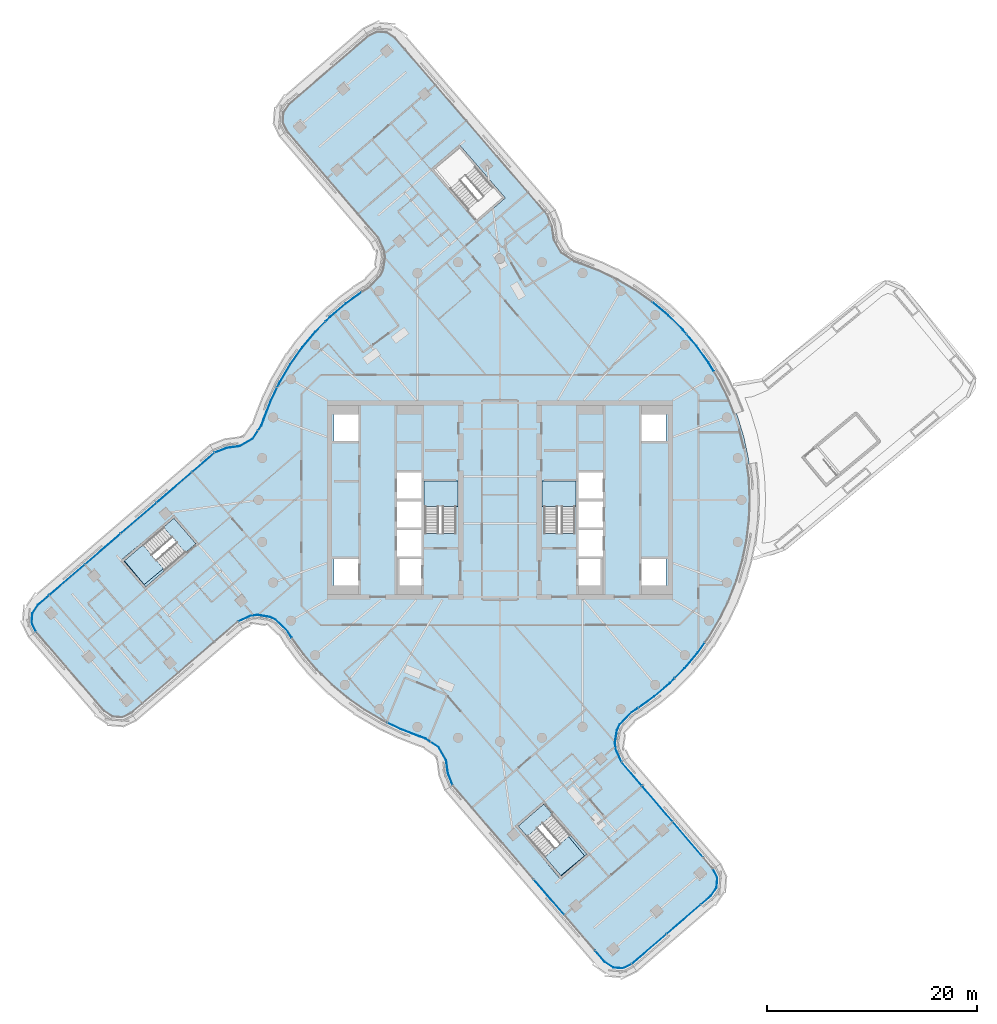
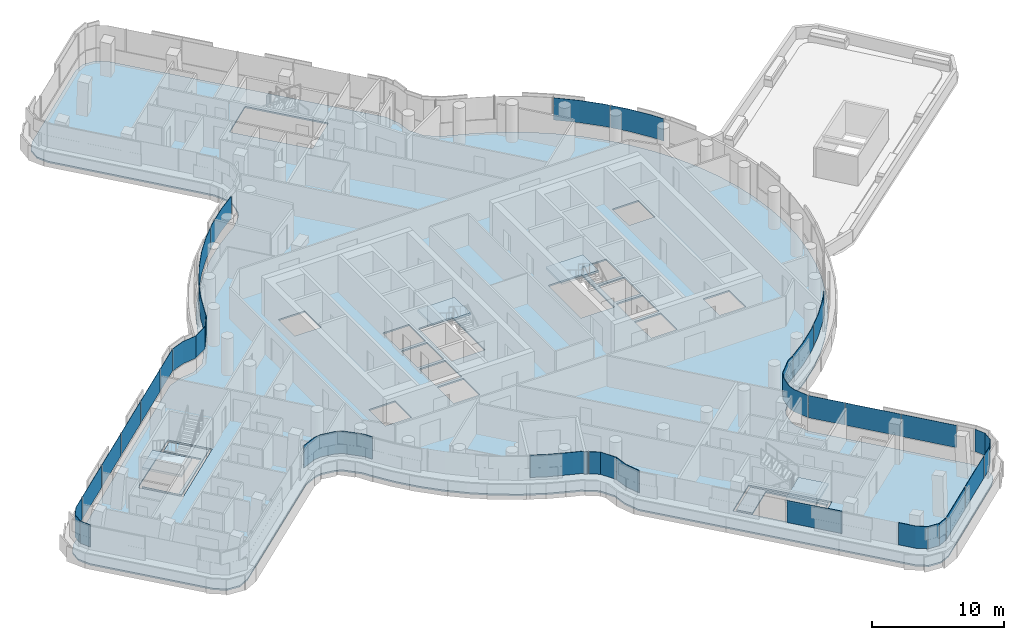
# One storey, part 18 of 34: 26 plates, 7 slabs, 11 elements without a shape of their own.
"""IFC4 building model written with IfcOpenShell, lengths in metres."""

from ifc_helpers import new_model, si_unit, direction, frame, origin, place, context, subcontext, project, spatial, polyline, outline, extrude, material, layer, layer_set, type_object, element, aggregate, save


model = new_model("IFC4")

# Units and contexts
model_context = context("Model", 3, precision=1e-05, world=origin(), true_north=direction((0.0, 1.0)))
body_context = subcontext(model_context, "Body", "Model", "MODEL_VIEW")
ifc_project = project(units=[si_unit("LENGTHUNIT", "METRE"), si_unit("AREAUNIT", "SQUARE_METRE"), si_unit("VOLUMEUNIT", "CUBIC_METRE"), si_unit("PLANEANGLEUNIT", "RADIAN"), si_unit("MASSUNIT", "GRAM", prefix="KILO")], contexts=[model_context])

# Site, building, storey
site_placement = place(None, origin())
site = spatial("IfcSite", under=ifc_project, at=site_placement, CompositionType="ELEMENT")
building_placement = place(site_placement, origin())
building = spatial("IfcBuilding", under=site, at=building_placement, Name="Tamarind Cross Interchange Tower", CompositionType="ELEMENT")
storey_placement = place(building_placement, frame((0.0, 0.0, 182.5)))
storey = spatial("IfcBuildingStorey", under=building, at=storey_placement, Name="L45", CompositionType="ELEMENT", Elevation=182.5)

# Slabs
ifc_material_1 = material(Name="Concrete C35", Category="concrete")
ifc_layer_1 = layer(ifc_material_1, 0.139892578125)
ifc_layer_set_1 = layer_set([ifc_layer_1], Name="Concrete C35")
slab_type_1 = type_object("IfcSlabType", Name="Composite slab 140 Concrete C35", PredefinedType="FLOOR", material=ifc_layer_set_1)
slab_1_placement = place(storey_placement, frame((0.0, 0.0, -0.139892578125)))
element("IfcSlab", 1, at=slab_1_placement, inside=storey, type_object=slab_type_1, Name="Floor slab L45", PredefinedType="FLOOR", context=body_context, shape_type="SweptSolid", body=[
    extrude(outline(polyline([(5.16259765625, 26.065185546875), (4.67919921875, 27.293212890625), (-9.85009765625, 44.156982421875), (-10.705810546875, 44.73974609375), (-11.73828125, 44.81640625), (-12.6708984375, 44.36669921875), (-20.24658203125, 37.839599609375), (-20.829345703125, 36.98388671875), (-20.90625, 35.951416015625), (-20.45654296875, 35.01904296875), (-11.74462890625, 24.84326171875), (-11.221435546875, 23.67333984375), (-11.14892578125, 23.116943359375), (-11.3310546875, 21.9970703125), (-11.575927734375, 21.492431640625), (-12.666259765625, 20.366455078125), (-13.2109375, 20.031982421875), (-14.820068359375, 18.87255859375), (-16.327880859375, 17.584228515625), (-17.72412109375, 16.17578125), (-18.99951171875, 14.656982421875), (-20.14501953125, 13.0380859375), (-21.15283203125, 11.329833984375), (-22.01611328125, 9.54443359375), (-22.72900390625, 7.693603515625), (-22.905029296875, 7.191650390625), (-23.698486328125, 5.99169921875), (-24.842529296875, 5.3232421875), (-26.065185546875, 5.16259765625), (-27.293212890625, 4.67919921875), (-44.156982421875, -9.85009765625), (-44.73974609375, -10.705810546875), (-44.81640625, -11.73828125), (-44.36669921875, -12.6708984375), (-37.839599609375, -20.24658203125), (-36.98388671875, -20.829345703125), (-35.951416015625, -20.90625), (-35.01904296875, -20.45654296875), (-24.84326171875, -11.74462890625), (-23.67333984375, -11.221435546875), (-23.116943359375, -11.14892578125), (-21.9970703125, -11.3310546875), (-21.492431640625, -11.575927734375), (-20.366455078125, -12.666259765625), (-20.031982421875, -13.2109375), (-18.87255859375, -14.820068359375), (-17.584228515625, -16.327880859375), (-16.17578125, -17.72412109375), (-14.656982421875, -18.99951171875), (-13.0380859375, -20.14501953125), (-11.329833984375, -21.15283203125), (-9.54443359375, -22.01611328125), (-7.693603515625, -22.72900390625), (-7.191650390625, -22.905029296875), (-5.99169921875, -23.698486328125), (-5.3232421875, -24.842529296875), (-5.16259765625, -26.065185546875), (-4.67919921875, -27.293212890625), (9.85009765625, -44.156982421875), (10.705810546875, -44.73974609375), (11.73828125, -44.81640625), (12.6708984375, -44.36669921875), (20.24658203125, -37.839599609375), (20.829345703125, -36.98388671875), (20.90625, -35.951416015625), (20.45654296875, -35.01904296875), (11.74462890625, -24.84326171875), (11.221435546875, -23.67333984375), (11.14892578125, -23.116943359375), (11.3310546875, -21.9970703125), (11.575927734375, -21.492431640625), (12.666259765625, -20.366455078125), (13.2109375, -20.031982421875), (14.820068359375, -18.87255859375), (16.327880859375, -17.584228515625), (17.72412109375, -16.17578125), (18.99951171875, -14.656982421875), (20.14501953125, -13.0380859375), (21.15283203125, -11.329833984375), (22.01611328125, -9.54443359375), (22.72900390625, -7.693603515625), (23.286865234375, -5.79052734375), (23.685546875, -3.84765625), (23.92236328125, -1.878662109375), (23.99560546875, 0.103271484375), (23.9052734375, 2.08447265625), (23.651611328125, 4.051513671875), (23.236083984375, 5.99072265625), (22.662109375, 7.88916015625), (21.93310546875, 9.7333984375), (21.054443359375, 11.511474609375), (20.031982421875, 13.2109375), (18.87255859375, 14.820068359375), (17.584228515625, 16.327880859375), (16.17578125, 17.72412109375), (14.656982421875, 18.99951171875), (13.0380859375, 20.14501953125), (11.329833984375, 21.15283203125), (9.54443359375, 22.01611328125), (7.693603515625, 22.72900390625), (7.191650390625, 22.905029296875), (5.99169921875, 23.698486328125), (5.3232421875, 24.842529296875), (5.16259765625, 26.065185546875)]), holes=[polyline([(-33.768310546875, -8.555419921875), (-33.89892578125, -8.40380859375), (-35.98779296875, -5.9794921875), (-36.1181640625, -5.827880859375), (-35.902099609375, -5.641845703125), (-35.9404296875, -5.595703125), (-33.409423828125, -3.494384765625), (-31.042236328125, -1.454833984375), (-30.911865234375, -1.606201171875), (-28.822998046875, -4.030517578125), (-28.6923828125, -4.18212890625), (-33.768310546875, -8.555419921875)]), polyline([(-13.5, -8.125), (-15.800048828125, -8.125), (-15.800048828125, -5.625), (-13.5, -5.625), (-13.5, -8.125)]), polyline([(-7.5, -8.125), (-9.800048828125, -8.125), (-9.800048828125, -5.625), (-7.5, -5.625), (-7.5, -8.125)]), polyline([(-7.5, -5.375), (-9.800048828125, -5.375), (-9.800048828125, -2.875), (-7.5, -2.875), (-7.5, -5.375)]), polyline([(-7.5, -2.625), (-9.800048828125, -2.625), (-9.800048828125, -0.125), (-7.5, -0.125), (-7.5, -2.625)]), polyline([(-4.199951171875, 1.800048828125), (-4.199951171875, -3.18798828125), (-7.14990234375, -3.18798828125), (-7.14990234375, 1.800048828125), (-4.199951171875, 1.800048828125)]), polyline([(-7.5, 0.125), (-9.800048828125, 0.125), (-9.800048828125, 2.625), (-7.5, 2.625), (-7.5, 0.125)]), polyline([(-13.5, 5.625), (-15.800048828125, 5.625), (-15.800048828125, 8.125), (-13.5, 8.125), (-13.5, 5.625)]), polyline([(-2.22412109375, 26.419677734375), (-6.59716796875, 31.49560546875), (-6.44580078125, 31.626220703125), (-4.021484375, 33.71484375), (-3.869873046875, 33.845458984375), (-3.683349609375, 33.62890625), (-3.67919921875, 33.63232421875), (-3.494384765625, 33.409423828125), (0.50341796875, 28.76953125), (0.351806640625, 28.638916015625), (-2.072509765625, 26.55029296875), (-2.22412109375, 26.419677734375)]), polyline([(1.454833984375, -31.042236328125), (1.606201171875, -30.911865234375), (4.030517578125, -28.822998046875), (4.18212890625, -28.6923828125), (8.555419921875, -33.768310546875), (8.40380859375, -33.89892578125), (5.9794921875, -35.98779296875), (5.827880859375, -36.1181640625), (5.641845703125, -35.902099609375), (5.595703125, -35.9404296875), (3.494384765625, -33.409423828125), (1.454833984375, -31.042236328125)]), polyline([(7.5, -5.625), (9.800048828125, -5.625), (9.800048828125, -8.125), (7.5, -8.125), (7.5, -5.625)]), polyline([(13.5, -5.625), (15.800048828125, -5.625), (15.800048828125, -8.125), (13.5, -8.125), (13.5, -5.625)]), polyline([(7.5, -2.875), (9.800048828125, -2.875), (9.800048828125, -5.375), (7.5, -5.375), (7.5, -2.875)]), polyline([(7.5, -0.125), (9.800048828125, -0.125), (9.800048828125, -2.625), (7.5, -2.625), (7.5, -0.125)]), polyline([(7.14990234375, 1.800048828125), (7.14990234375, -3.18798828125), (4.199951171875, -3.18798828125), (4.199951171875, 1.800048828125), (7.14990234375, 1.800048828125)]), polyline([(7.5, 2.625), (9.800048828125, 2.625), (9.800048828125, 0.125), (7.5, 0.125), (7.5, 2.625)]), polyline([(13.5, 8.125), (15.800048828125, 8.125), (15.800048828125, 5.625), (13.5, 5.625), (13.5, 8.125)])]), origin(), (0.0, 0.0, 1.0), 0.139892578125),
])
slab_2_placement = place(storey_placement, frame((0.0, 0.0, -0.139892578125)))
element("IfcSlab", 2, at=slab_2_placement, inside=storey, type_object=slab_type_1, Name="Floor slab L45", PredefinedType="FLOOR", context=body_context, shape_type="SweptSolid", body=[
    extrude(outline(polyline([(-35.836181640625, -5.84912109375), (-33.747314453125, -8.273193359375), (-28.974609375, -4.1611328125), (-31.063232421875, -1.73681640625), (-32.057373046875, -2.59326171875), (-30.07958984375, -4.888671875), (-33.896484375, -8.0576171875), (-35.7744140625, -5.7958984375), (-35.836181640625, -5.84912109375)])), origin(), (0.0, 0.0, 1.0), 0.139892578125),
])
slab_3_placement = place(storey_placement, frame((0.0, 0.0, -0.139892578125)))
element("IfcSlab", 3, at=slab_3_placement, inside=storey, type_object=slab_type_1, Name="Floor slab L45", PredefinedType="FLOOR", context=body_context, shape_type="SweptSolid", body=[
    extrude(outline(polyline([(5.84912109375, -35.836181640625), (8.273193359375, -33.747314453125), (4.1611328125, -28.974609375), (1.73681640625, -31.063232421875), (2.59326171875, -32.057373046875), (4.888671875, -30.07958984375), (8.0576171875, -33.896484375), (5.7958984375, -35.7744140625), (5.84912109375, -35.836181640625)])), origin(), (0.0, 0.0, 1.0), 0.139892578125),
])

# Stair, slab
ifc_material_2 = material(Name="Exit stair")
stair_type = type_object("IfcStairType", Name="Exit stair", PredefinedType="HALF_TURN_STAIR", material=ifc_material_2)
stair_1_placement = place(storey_placement, origin())
stair_1 = element("IfcStair", 4, at=stair_1_placement, inside=storey, type_object=stair_type, Name="L45 exit stair ST1", PredefinedType="HALF_TURN_STAIR")
ifc_material_3 = material(Name="Concrete C40", Category="concrete")
ifc_layer_2 = layer(ifc_material_3, 0.199951171875)
ifc_layer_set_2 = layer_set([ifc_layer_2], Name="Concrete C40")
slab_type_2 = type_object("IfcSlabType", Name="Stair landing", PredefinedType="LANDING", material=ifc_layer_set_2)
slab_4_placement = place(storey_placement, frame((0.0, 0.0, 1.60009765625)))
slab_4 = element("IfcSlab", 5, at=slab_4_placement, type_object=slab_type_2, Name="ST1 landing 1", PredefinedType="LANDING", context=body_context, shape_type="SweptSolid", body=[
    extrude(outline(polyline([(-4.0, -0.60009765625), (-4.0, 1.800048828125), (-7.25, 1.800048828125), (-7.25, -0.60009765625), (-4.0, -0.60009765625)])), origin(), (0.0, 0.0, 1.0), 0.199951171875),
])
aggregate(stair_1, [slab_4])

stair_2_placement = place(storey_placement, origin())
stair_2 = element("IfcStair", 6, at=stair_2_placement, inside=storey, type_object=stair_type, Name="L45 exit stair ST2", PredefinedType="HALF_TURN_STAIR")
slab_5_placement = place(storey_placement, frame((0.0, 0.0, 1.60009765625)))
slab_5 = element("IfcSlab", 7, at=slab_5_placement, type_object=slab_type_2, Name="ST2 landing 1", PredefinedType="LANDING", context=body_context, shape_type="SweptSolid", body=[
    extrude(outline(polyline([(7.25, -0.60009765625), (7.25, 1.800048828125), (4.0, 1.800048828125), (4.0, -0.60009765625), (7.25, -0.60009765625)])), origin(), (0.0, 0.0, 1.0), 0.199951171875),
])
aggregate(stair_2, [slab_5])

stair_3_placement = place(storey_placement, origin())
stair_3 = element("IfcStair", 8, at=stair_3_placement, inside=storey, type_object=stair_type, Name="L45 exit stair ST5", PredefinedType="HALF_TURN_STAIR")
slab_6_placement = place(storey_placement, frame((0.0, 0.0, 1.60009765625)))
slab_6 = element("IfcSlab", 9, at=slab_6_placement, type_object=slab_type_2, Name="ST5 landing 1", PredefinedType="LANDING", context=body_context, shape_type="SweptSolid", body=[
    extrude(outline(polyline([(-34.0087890625, -4.274658203125), (-35.836181640625, -5.848876953125), (-33.74755859375, -8.273193359375), (-31.920166015625, -6.698974609375), (-34.0087890625, -4.274658203125)])), origin(), (0.0, 0.0, 1.0), 0.199951171875),
])
aggregate(stair_3, [slab_6])

stair_4_placement = place(storey_placement, origin())
stair_4 = element("IfcStair", 10, at=stair_4_placement, inside=storey, type_object=stair_type, Name="L45 exit stair ST6", PredefinedType="HALF_TURN_STAIR")
slab_7_placement = place(storey_placement, frame((0.0, 0.0, 1.60009765625)))
slab_7 = element("IfcSlab", 11, at=slab_7_placement, type_object=slab_type_2, Name="ST6 landing 1", PredefinedType="LANDING", context=body_context, shape_type="SweptSolid", body=[
    extrude(outline(polyline([(4.274658203125, -34.0087890625), (5.848876953125, -35.836181640625), (8.273193359375, -33.74755859375), (6.698974609375, -31.920166015625), (4.274658203125, -34.0087890625)])), origin(), (0.0, 0.0, 1.0), 0.199951171875),
])
aggregate(stair_4, [slab_7])

# Curtain wall, plates
ifc_material_4 = material(Name="Aluminium 6063-T6", Category="aluminium")
ifc_layer_3 = layer(ifc_material_4, 0.139892578125)
ifc_layer_set_3 = layer_set([ifc_layer_3], Name="Aluminium 6063-T6")
curtain_wall_type_1 = type_object("IfcCurtainWallType", Name="Hotel curtain wall, 4.5 m bays", PredefinedType="NOTDEFINED", material=ifc_layer_set_3)
curtain_wall_1_placement = place(storey_placement, origin())
curtain_wall_1 = element("IfcCurtainWall", 12, at=curtain_wall_1_placement, inside=storey, type_object=curtain_wall_type_1, Name="CWS-L45-03", PredefinedType="NOTDEFINED")
ifc_material_5 = material(Name="Laminated low-e glass 6+1.52+6", Category="glass")
ifc_layer_4 = layer(ifc_material_5, 0.02392578125)
ifc_layer_set_4 = layer_set([ifc_layer_4], Name="Laminated low-e glass 6+1.52+6")
plate_type_1 = type_object("IfcPlateType", Name="Vision panel CW2", PredefinedType="CURTAIN_PANEL", material=ifc_layer_set_4)
plate_1_placement = place(storey_placement, frame((0.0, 0.0, 1.39990234375)))
plate_1 = element("IfcPlate", 13, at=plate_1_placement, type_object=plate_type_1, Name="CWP-L45-03-00", PredefinedType="CURTAIN_PANEL", context=body_context, shape_type="SweptSolid", body=[
    extrude(outline(polyline([(-27.203369140625, 4.47705078125), (-29.306640625, 2.66455078125), (-29.322509765625, 2.682861328125), (-27.218994140625, 4.4951171875), (-27.203369140625, 4.47705078125)])), origin(), (0.0, 0.0, 1.0), 2.06005859375),
])
plate_2_placement = place(storey_placement, frame((0.0, 0.0, 1.39990234375)))
plate_2 = element("IfcPlate", 14, at=plate_2_placement, type_object=plate_type_1, Name="CWP-L45-03-01", PredefinedType="CURTAIN_PANEL", context=body_context, shape_type="SweptSolid", body=[
    extrude(outline(polyline([(-29.352294921875, 2.62548828125), (-32.70654296875, -0.2646484375), (-32.72216796875, -0.246337890625), (-29.367919921875, 2.6435546875), (-29.352294921875, 2.62548828125)])), origin(), (0.0, 0.0, 1.0), 2.06005859375),
])
plate_3_placement = place(storey_placement, frame((0.0, 0.0, 1.39990234375)))
plate_3 = element("IfcPlate", 15, at=plate_3_placement, type_object=plate_type_1, Name="CWP-L45-03-02", PredefinedType="CURTAIN_PANEL", context=body_context, shape_type="SweptSolid", body=[
    extrude(outline(polyline([(-32.751953125, -0.3037109375), (-36.106689453125, -3.19384765625), (-36.122314453125, -3.17578125), (-32.767822265625, -0.28564453125), (-32.751953125, -0.3037109375)])), origin(), (0.0, 0.0, 1.0), 2.06005859375),
])
plate_4_placement = place(storey_placement, frame((0.0, 0.0, 1.39990234375)))
plate_4 = element("IfcPlate", 16, at=plate_4_placement, type_object=plate_type_1, Name="CWP-L45-03-03", PredefinedType="CURTAIN_PANEL", context=body_context, shape_type="SweptSolid", body=[
    extrude(outline(polyline([(-36.152099609375, -3.233154296875), (-39.506591796875, -6.123291015625), (-39.522216796875, -6.10498046875), (-36.167724609375, -3.21484375), (-36.152099609375, -3.233154296875)])), origin(), (0.0, 0.0, 1.0), 2.06005859375),
])
plate_5_placement = place(storey_placement, frame((0.0, 0.0, 1.39990234375)))
plate_5 = element("IfcPlate", 17, at=plate_5_placement, type_object=plate_type_1, Name="CWP-L45-03-04", PredefinedType="CURTAIN_PANEL", context=body_context, shape_type="SweptSolid", body=[
    extrude(outline(polyline([(-39.552001953125, -6.162353515625), (-42.906494140625, -9.052490234375), (-42.922119140625, -9.034423828125), (-39.567626953125, -6.144287109375), (-39.552001953125, -6.162353515625)])), origin(), (0.0, 0.0, 1.0), 2.06005859375),
])
plate_6_placement = place(storey_placement, frame((0.0, 0.0, 1.39990234375)))
plate_6 = element("IfcPlate", 18, at=plate_6_placement, type_object=plate_type_1, Name="CWP-L45-03-05", PredefinedType="CURTAIN_PANEL", context=body_context, shape_type="SweptSolid", body=[
    extrude(outline(polyline([(-42.951904296875, -9.091796875), (-43.99755859375, -9.992431640625), (-44.532470703125, -10.7783203125), (-44.600830078125, -11.697265625), (-44.200439453125, -12.52783203125), (-44.221923828125, -12.538330078125), (-44.625244140625, -11.701904296875), (-44.555908203125, -10.77001953125), (-44.015625, -9.976318359375), (-42.9677734375, -9.073486328125), (-42.951904296875, -9.091796875)])), origin(), (0.0, 0.0, 1.0), 2.06005859375),
])
aggregate(curtain_wall_1, [plate_1, plate_2, plate_3, plate_4, plate_5, plate_6])

curtain_wall_2_placement = place(storey_placement, origin())
curtain_wall_2 = element("IfcCurtainWall", 19, at=curtain_wall_2_placement, inside=storey, type_object=curtain_wall_type_1, Name="CWS-L45-07", PredefinedType="NOTDEFINED")
plate_7_placement = place(storey_placement, frame((0.0, 0.0, 1.39990234375)))
plate_7 = element("IfcPlate", 20, at=plate_7_placement, type_object=plate_type_1, Name="CWP-L45-07-03", PredefinedType="CURTAIN_PANEL", context=body_context, shape_type="SweptSolid", body=[
    extrude(outline(polyline([(3.233154296875, -36.152099609375), (6.123291015625, -39.506591796875), (6.10498046875, -39.522216796875), (3.21484375, -36.167724609375), (3.233154296875, -36.152099609375)])), origin(), (0.0, 0.0, 1.0), 2.06005859375),
])
plate_8_placement = place(storey_placement, frame((0.0, 0.0, 1.39990234375)))
plate_8 = element("IfcPlate", 21, at=plate_8_placement, type_object=plate_type_1, Name="CWP-L45-07-05", PredefinedType="CURTAIN_PANEL", context=body_context, shape_type="SweptSolid", body=[
    extrude(outline(polyline([(9.091796875, -42.951904296875), (9.992431640625, -43.99755859375), (10.7783203125, -44.532470703125), (11.697265625, -44.600830078125), (12.52783203125, -44.200439453125), (12.538330078125, -44.221923828125), (11.701904296875, -44.625244140625), (10.77001953125, -44.555908203125), (9.976318359375, -44.015625), (9.073486328125, -42.9677734375), (9.091796875, -42.951904296875)])), origin(), (0.0, 0.0, 1.0), 2.06005859375),
])
aggregate(curtain_wall_2, [plate_7, plate_8])

curtain_wall_3_placement = place(storey_placement, origin())
curtain_wall_3 = element("IfcCurtainWall", 22, at=curtain_wall_3_placement, inside=storey, type_object=curtain_wall_type_1, Name="CWS-L45-08", PredefinedType="NOTDEFINED")
plate_9_placement = place(storey_placement, frame((0.0, 0.0, 1.39990234375)))
plate_9 = element("IfcPlate", 23, at=plate_9_placement, type_object=plate_type_1, Name="CWP-L45-08-00", PredefinedType="CURTAIN_PANEL", context=body_context, shape_type="SweptSolid", body=[
    extrude(outline(polyline([(12.574951171875, -44.16943359375), (15.82177734375, -41.3720703125), (15.83740234375, -41.390380859375), (12.5908203125, -44.187744140625), (12.574951171875, -44.16943359375)])), origin(), (0.0, 0.0, 1.0), 2.06005859375),
])
plate_10_placement = place(storey_placement, frame((0.0, 0.0, 1.39990234375)))
plate_10 = element("IfcPlate", 24, at=plate_10_placement, type_object=plate_type_1, Name="CWP-L45-08-01", PredefinedType="CURTAIN_PANEL", context=body_context, shape_type="SweptSolid", body=[
    extrude(outline(polyline([(15.8671875, -41.3330078125), (19.114013671875, -38.53564453125), (19.129638671875, -38.553955078125), (15.883056640625, -41.35107421875), (15.8671875, -41.3330078125)])), origin(), (0.0, 0.0, 1.0), 2.06005859375),
])
plate_11_placement = place(storey_placement, frame((0.0, 0.0, 1.39990234375)))
plate_11 = element("IfcPlate", 25, at=plate_11_placement, type_object=plate_type_1, Name="CWP-L45-08-02", PredefinedType="CURTAIN_PANEL", context=body_context, shape_type="SweptSolid", body=[
    extrude(outline(polyline([(19.159423828125, -38.49658203125), (20.087158203125, -37.697265625), (20.622314453125, -36.91162109375), (20.690673828125, -35.992431640625), (20.289794921875, -35.161376953125), (20.3115234375, -35.151123046875), (20.715087890625, -35.98779296875), (20.645751953125, -36.919677734375), (20.105224609375, -37.71337890625), (19.175048828125, -38.5146484375), (19.159423828125, -38.49658203125)])), origin(), (0.0, 0.0, 1.0), 2.06005859375),
])
aggregate(curtain_wall_3, [plate_9, plate_10, plate_11])

curtain_wall_4_placement = place(storey_placement, origin())
curtain_wall_4 = element("IfcCurtainWall", 26, at=curtain_wall_4_placement, inside=storey, type_object=curtain_wall_type_1, Name="CWS-L45-09", PredefinedType="NOTDEFINED")
plate_12_placement = place(storey_placement, frame((0.0, 0.0, 1.39990234375)))
plate_12 = element("IfcPlate", 27, at=plate_12_placement, type_object=plate_type_1, Name="CWP-L45-09-01", PredefinedType="CURTAIN_PANEL", context=body_context, shape_type="SweptSolid", body=[
    extrude(outline(polyline([(19.338134765625, -34.038818359375), (16.449951171875, -30.665283203125), (16.46826171875, -30.649658203125), (19.3564453125, -34.023193359375), (19.338134765625, -34.038818359375)])), origin(), (0.0, 0.0, 1.0), 2.06005859375),
])
plate_13_placement = place(storey_placement, frame((0.0, 0.0, 1.39990234375)))
plate_13 = element("IfcPlate", 28, at=plate_13_placement, type_object=plate_type_1, Name="CWP-L45-09-02", PredefinedType="CURTAIN_PANEL", context=body_context, shape_type="SweptSolid", body=[
    extrude(outline(polyline([(16.410888671875, -30.61962890625), (13.522705078125, -27.24609375), (13.541015625, -27.230712890625), (16.42919921875, -30.60400390625), (16.410888671875, -30.61962890625)])), origin(), (0.0, 0.0, 1.0), 2.06005859375),
])
plate_14_placement = place(storey_placement, frame((0.0, 0.0, 1.39990234375)))
plate_14 = element("IfcPlate", 29, at=plate_14_placement, type_object=plate_type_1, Name="CWP-L45-09-03", PredefinedType="CURTAIN_PANEL", context=body_context, shape_type="SweptSolid", body=[
    extrude(outline(polyline([(13.483642578125, -27.20068359375), (11.584228515625, -24.98193359375), (11.6025390625, -24.96630859375), (13.501953125, -27.18505859375), (13.483642578125, -27.20068359375)])), origin(), (0.0, 0.0, 1.0), 2.06005859375),
])
aggregate(curtain_wall_4, [plate_12, plate_13, plate_14])

ifc_layer_5 = layer(ifc_material_4, 0.14990234375)
ifc_layer_set_5 = layer_set([ifc_layer_5], Name="Aluminium 6063-T6")
curtain_wall_type_2 = type_object("IfcCurtainWallType", Name="Winter garden and crown curtain wall", PredefinedType="NOTDEFINED", material=ifc_layer_set_5)
curtain_wall_5_placement = place(storey_placement, origin())
curtain_wall_5 = element("IfcCurtainWall", 30, at=curtain_wall_5_placement, inside=storey, type_object=curtain_wall_type_2, Name="CWS-L45-02", PredefinedType="NOTDEFINED")
ifc_material_6 = material(Name="Laminated low-e glass 8+1.52+8", Category="glass")
ifc_layer_6 = layer(ifc_material_6, 0.030029296875)
ifc_layer_set_6 = layer_set([ifc_layer_6], Name="Laminated low-e glass 8+1.52+8")
plate_type_2 = type_object("IfcPlateType", Name="Vision panel CW6", PredefinedType="CURTAIN_PANEL", material=ifc_layer_set_6)
plate_15_placement = place(storey_placement, frame((0.0, 0.0, 1.39990234375)))
plate_15 = element("IfcPlate", 31, at=plate_15_placement, type_object=plate_type_2, Name="CWP-L45-02-01", PredefinedType="CURTAIN_PANEL", context=body_context, shape_type="SweptSolid", body=[
    extrude(outline(polyline([(-13.197265625, 19.776611328125), (-14.68701171875, 18.703369140625), (-16.181396484375, 17.426513671875), (-16.606689453125, 16.997802734375), (-16.6279296875, 17.018798828125), (-16.201904296875, 17.448486328125), (-14.70556640625, 18.72705078125), (-13.21484375, 19.801025390625), (-13.197265625, 19.776611328125)])), origin(), (0.0, 0.0, 1.0), 2.06005859375),
])
plate_16_placement = place(storey_placement, frame((0.0, 0.0, 1.39990234375)))
plate_16 = element("IfcPlate", 32, at=plate_16_placement, type_object=plate_type_2, Name="CWP-L45-02-02", PredefinedType="CURTAIN_PANEL", context=body_context, shape_type="SweptSolid", body=[
    extrude(outline(polyline([(-16.64892578125, 16.955078125), (-17.565185546875, 16.03076171875), (-18.8291015625, 14.525634765625), (-19.96435546875, 12.921142578125), (-20.963134765625, 11.228271484375), (-21.20068359375, 10.737060546875), (-21.2275390625, 10.75), (-20.989501953125, 11.242431640625), (-19.989501953125, 12.937255859375), (-18.852783203125, 14.5439453125), (-17.58740234375, 16.051025390625), (-16.670166015625, 16.976318359375), (-16.64892578125, 16.955078125)])), origin(), (0.0, 0.0, 1.0), 2.06005859375),
])
plate_17_placement = place(storey_placement, frame((0.0, 0.0, 1.39990234375)))
plate_17 = element("IfcPlate", 33, at=plate_17_placement, type_object=plate_type_2, Name="CWP-L45-02-03", PredefinedType="CURTAIN_PANEL", context=body_context, shape_type="SweptSolid", body=[
    extrude(outline(polyline([(-21.226806640625, 10.682861328125), (-21.818603515625, 9.458740234375), (-22.52734375, 7.61962890625), (-22.7109375, 7.095458984375), (-23.020263671875, 6.62744140625), (-23.04541015625, 6.64404296875), (-22.738037109375, 7.10888671875), (-22.555419921875, 7.6298828125), (-21.84619140625, 9.470703125), (-21.253662109375, 10.696044921875), (-21.226806640625, 10.682861328125)])), origin(), (0.0, 0.0, 1.0), 2.06005859375),
])
plate_18_placement = place(storey_placement, frame((0.0, 0.0, 1.39990234375)))
plate_18 = element("IfcPlate", 34, at=plate_18_placement, type_object=plate_type_2, Name="CWP-L45-02-04", PredefinedType="CURTAIN_PANEL", context=body_context, shape_type="SweptSolid", body=[
    extrude(outline(polyline([(-23.053466796875, 6.577392578125), (-23.546875, 5.831298828125), (-24.771484375, 5.11572265625), (-26.010986328125, 4.952880859375), (-27.155029296875, 4.502685546875), (-27.166015625, 4.530517578125), (-26.0185546875, 4.982177734375), (-24.781494140625, 5.144775390625), (-23.56787109375, 5.853759765625), (-23.078369140625, 6.593994140625), (-23.053466796875, 6.577392578125)])), origin(), (0.0, 0.0, 1.0), 2.06005859375),
])
aggregate(curtain_wall_5, [plate_15, plate_16, plate_17, plate_18])

curtain_wall_6_placement = place(storey_placement, origin())
curtain_wall_6 = element("IfcCurtainWall", 35, at=curtain_wall_6_placement, inside=storey, type_object=curtain_wall_type_2, Name="CWS-L45-06", PredefinedType="NOTDEFINED")
plate_19_placement = place(storey_placement, frame((0.0, 0.0, 1.39990234375)))
plate_19 = element("IfcPlate", 36, at=plate_19_placement, type_object=plate_type_2, Name="CWP-L45-06-00", PredefinedType="CURTAIN_PANEL", context=body_context, shape_type="SweptSolid", body=[
    extrude(outline(polyline([(-24.93017578125, -11.5478515625), (-23.732177734375, -11.012451171875), (-23.113525390625, -10.931640625), (-21.931640625, -11.123779296875), (-21.367431640625, -11.3974609375), (-20.197265625, -12.53076171875), (-19.852783203125, -13.091552734375), (-19.811767578125, -13.148681640625), (-19.836181640625, -13.166259765625), (-19.8779296875, -13.108154296875), (-20.220947265625, -12.549560546875), (-21.385009765625, -11.42236328125), (-21.940673828125, -11.152587890625), (-23.114013671875, -10.9619140625), (-23.72412109375, -11.04150390625), (-24.91796875, -11.5751953125), (-24.93017578125, -11.5478515625)])), origin(), (0.0, 0.0, 1.0), 2.06005859375),
])
plate_20_placement = place(storey_placement, frame((0.0, 0.0, 1.39990234375)))
plate_20 = element("IfcPlate", 37, at=plate_20_placement, type_object=plate_type_2, Name="CWP-L45-06-03", PredefinedType="CURTAIN_PANEL", context=body_context, shape_type="SweptSolid", body=[
    extrude(outline(polyline([(-10.682861328125, -21.226806640625), (-9.458740234375, -21.818603515625), (-7.61962890625, -22.52734375), (-7.095458984375, -22.7109375), (-6.62744140625, -23.020263671875), (-6.64404296875, -23.04541015625), (-7.10888671875, -22.738037109375), (-7.6298828125, -22.555419921875), (-9.470703125, -21.84619140625), (-10.696044921875, -21.253662109375), (-10.682861328125, -21.226806640625)])), origin(), (0.0, 0.0, 1.0), 2.06005859375),
])
plate_21_placement = place(storey_placement, frame((0.0, 0.0, 1.39990234375)))
plate_21 = element("IfcPlate", 38, at=plate_21_placement, type_object=plate_type_2, Name="CWP-L45-06-04", PredefinedType="CURTAIN_PANEL", context=body_context, shape_type="SweptSolid", body=[
    extrude(outline(polyline([(-6.577392578125, -23.053466796875), (-5.831298828125, -23.546875), (-5.11572265625, -24.771484375), (-4.952880859375, -26.010986328125), (-4.502685546875, -27.155029296875), (-4.530517578125, -27.166015625), (-4.982177734375, -26.0185546875), (-5.144775390625, -24.781494140625), (-5.853759765625, -23.56787109375), (-6.593994140625, -23.078369140625), (-6.577392578125, -23.053466796875)])), origin(), (0.0, 0.0, 1.0), 2.06005859375),
])
aggregate(curtain_wall_6, [plate_19, plate_20, plate_21])

curtain_wall_7_placement = place(storey_placement, origin())
curtain_wall_7 = element("IfcCurtainWall", 39, at=curtain_wall_7_placement, inside=storey, type_object=curtain_wall_type_2, Name="CWS-L45-10", PredefinedType="NOTDEFINED")
plate_22_placement = place(storey_placement, frame((0.0, 0.0, 1.39990234375)))
plate_22 = element("IfcPlate", 40, at=plate_22_placement, type_object=plate_type_2, Name="CWP-L45-10-00", PredefinedType="CURTAIN_PANEL", context=body_context, shape_type="SweptSolid", body=[
    extrude(outline(polyline([(11.5478515625, -24.93017578125), (11.012451171875, -23.732177734375), (10.931640625, -23.113525390625), (11.123779296875, -21.931640625), (11.3974609375, -21.367431640625), (12.53076171875, -20.197265625), (13.091552734375, -19.852783203125), (13.148681640625, -19.811767578125), (13.166259765625, -19.836181640625), (13.108154296875, -19.8779296875), (12.549560546875, -20.220947265625), (11.42236328125, -21.385009765625), (11.152587890625, -21.940673828125), (10.9619140625, -23.114013671875), (11.04150390625, -23.72412109375), (11.5751953125, -24.91796875), (11.5478515625, -24.93017578125)])), origin(), (0.0, 0.0, 1.0), 2.06005859375),
])
plate_23_placement = place(storey_placement, frame((0.0, 0.0, 1.39990234375)))
plate_23 = element("IfcPlate", 41, at=plate_23_placement, type_object=plate_type_2, Name="CWP-L45-10-01", PredefinedType="CURTAIN_PANEL", context=body_context, shape_type="SweptSolid", body=[
    extrude(outline(polyline([(13.197265625, -19.776611328125), (14.68701171875, -18.703369140625), (16.181396484375, -17.426513671875), (16.606689453125, -16.997802734375), (16.6279296875, -17.018798828125), (16.201904296875, -17.448486328125), (14.70556640625, -18.72705078125), (13.21484375, -19.801025390625), (13.197265625, -19.776611328125)])), origin(), (0.0, 0.0, 1.0), 2.06005859375),
])
plate_24_placement = place(storey_placement, frame((0.0, 0.0, 1.39990234375)))
plate_24 = element("IfcPlate", 42, at=plate_24_placement, type_object=plate_type_2, Name="CWP-L45-10-02", PredefinedType="CURTAIN_PANEL", context=body_context, shape_type="SweptSolid", body=[
    extrude(outline(polyline([(16.64892578125, -16.955078125), (17.565185546875, -16.03076171875), (18.8291015625, -14.525634765625), (19.486083984375, -13.596923828125), (19.510498046875, -13.6142578125), (18.852783203125, -14.5439453125), (17.58740234375, -16.051025390625), (16.670166015625, -16.976318359375), (16.64892578125, -16.955078125)])), origin(), (0.0, 0.0, 1.0), 2.06005859375),
])
plate_25_placement = place(storey_placement, frame((0.0, 0.0, 1.39990234375)))
plate_25 = element("IfcPlate", 43, at=plate_25_placement, type_object=plate_type_2, Name="CWP-L45-10-09", PredefinedType="CURTAIN_PANEL", context=body_context, shape_type="SweptSolid", body=[
    extrude(outline(polyline([(20.364501953125, 12.2412109375), (19.852294921875, 13.09228515625), (18.703369140625, 14.68701171875), (17.76416015625, 15.786376953125), (17.787109375, 15.8056640625), (18.72705078125, 14.70556640625), (19.87744140625, 13.10888671875), (20.39013671875, 12.256591796875), (20.364501953125, 12.2412109375)])), origin(), (0.0, 0.0, 1.0), 2.06005859375),
])
plate_26_placement = place(storey_placement, frame((0.0, 0.0, 1.39990234375)))
plate_26 = element("IfcPlate", 44, at=plate_26_placement, type_object=plate_type_2, Name="CWP-L45-10-10", PredefinedType="CURTAIN_PANEL", context=body_context, shape_type="SweptSolid", body=[
    extrude(outline(polyline([(17.725341796875, 15.831787109375), (17.426513671875, 16.181396484375), (16.03076171875, 17.565185546875), (14.525634765625, 18.8291015625), (14.515625, 18.836181640625), (14.532958984375, 18.860595703125), (14.5439453125, 18.852783203125), (16.051025390625, 17.58740234375), (17.448486328125, 16.201904296875), (17.748046875, 15.851318359375), (17.725341796875, 15.831787109375)])), origin(), (0.0, 0.0, 1.0), 2.06005859375),
])
aggregate(curtain_wall_7, [plate_22, plate_23, plate_24, plate_25, plate_26])

save(model, "model.ifc")
